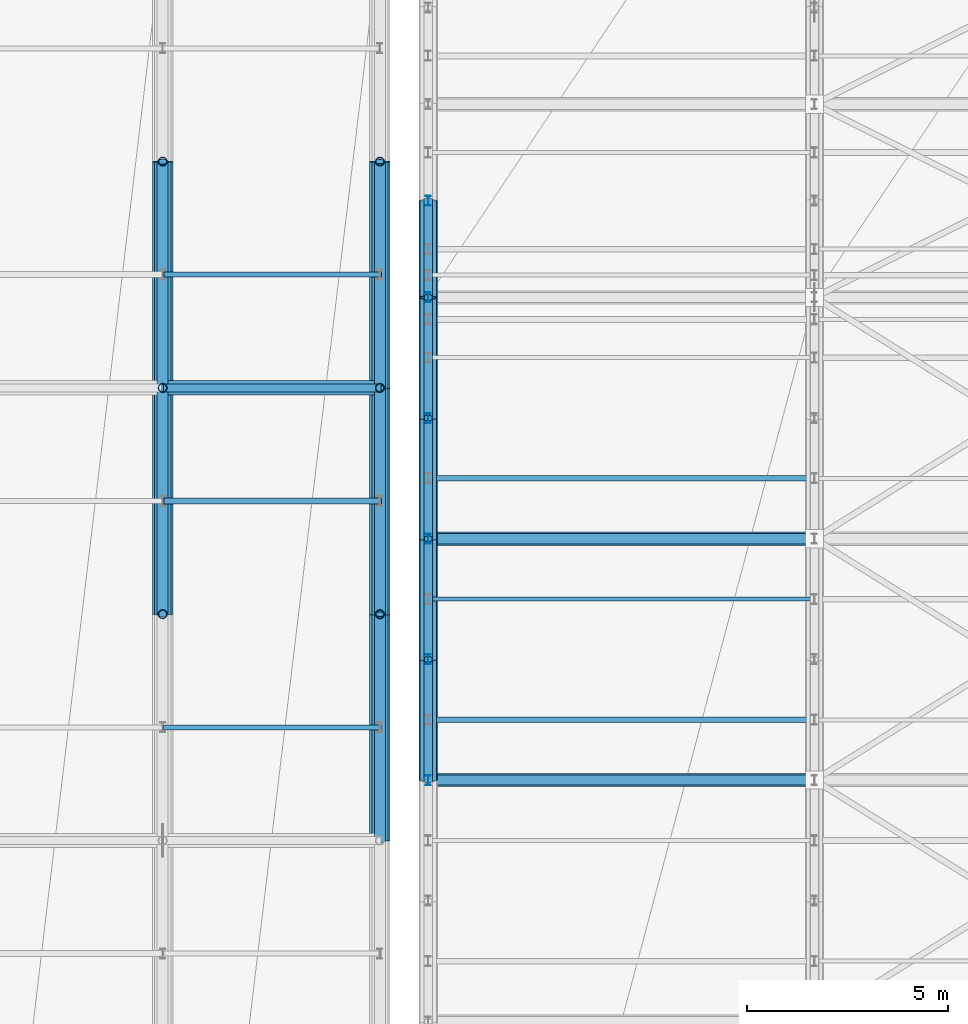
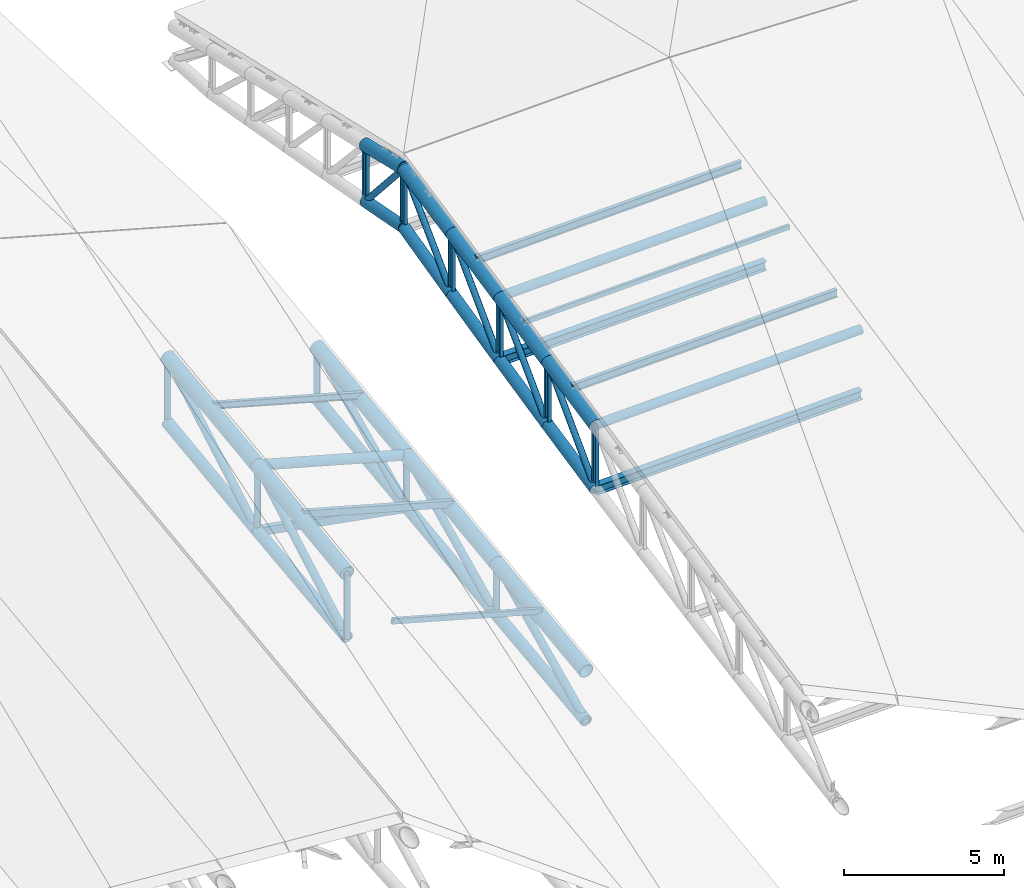
# One storey, part 42 of 109: 34 members, 20 beams.
"""IFC4 building model written with IfcOpenShell, lengths in metres."""

from ifc_helpers import new_model, si_unit, direction, frame, origin, origin_2d, place, context, subcontext, project, spatial, hollow_rectangle, hollow_circle, i_section, extrude, material, material_profile, profile_set, type_object, element, save


model = new_model("IFC4")

# Units and contexts
model_context = context("Model", 3, precision=1e-05, world=origin(), true_north=direction((0.0, 1.0)))
body_context = subcontext(model_context, "Body", "Model", "MODEL_VIEW")
ifc_project = project(units=[si_unit("LENGTHUNIT", "METRE"), si_unit("AREAUNIT", "SQUARE_METRE"), si_unit("VOLUMEUNIT", "CUBIC_METRE"), si_unit("PLANEANGLEUNIT", "RADIAN"), si_unit("MASSUNIT", "GRAM", prefix="KILO")], contexts=[model_context])

# Site, building, storey
site_placement = place(None, origin())
site = spatial("IfcSite", under=ifc_project, at=site_placement, CompositionType="ELEMENT")
building_placement = place(site_placement, origin())
building = spatial("IfcBuilding", under=site, at=building_placement, Name="Suirenkawa Promenade Aquatics Centre", CompositionType="ELEMENT")
storey_placement = place(building_placement, frame((0.0, 0.0, 22.800048828125)))
storey = spatial("IfcBuildingStorey", under=building, at=storey_placement, Name="ROOF", CompositionType="ELEMENT", Elevation=22.800048828125)

# Beams
ifc_material = material(Name="Steel IS 2062 E350 (Grade 350)", Category="steel")
ifc_material_profile_1 = material_profile(ifc_material, hollow_circle(Radius=0.202880859375, WallThickness=0.01806640625, at=origin_2d()), Name="CHS 406x18", Category="steel")
ifc_profile_set_1 = profile_set([ifc_material_profile_1], Name="Steel IS 2062 E350 (Grade 350)")
beam_type_1 = type_object("IfcBeamType", Name="BT-BC-CHS406", PredefinedType="BEAM", material=ifc_profile_set_1)
beam_1_placement = place(storey_placement, frame((149.39990234375, 78.52490234375, -12.333984375), z_axis=(0.0, 0.993002721465, 0.11809146948), x_axis=(-1.0, 0.0, 0.0)))
element("IfcBeam", 1, at=beam_1_placement, inside=storey, type_object=beam_type_1, Name="ROOF TRUSS V1 bottom chord BC-01 BM-2350", PredefinedType="BEAM", context=body_context, shape_type="SweptSolid", body=[
    extrude(hollow_circle(Radius=0.202880859375, WallThickness=0.01806640625, at=origin_2d()), origin(), (0.0, 0.0, 1.0), 5.66455078125),
])
beam_2_placement = place(storey_placement, frame((149.39990234375, 84.14990234375, -11.6650390625), z_axis=(0.0, 0.991662218835, 0.128864439375), x_axis=(-1.0, 0.0, 0.0)))
element("IfcBeam", 2, at=beam_2_placement, inside=storey, type_object=beam_type_1, Name="ROOF TRUSS V1 bottom chord BC-01 BM-2352", PredefinedType="BEAM", context=body_context, shape_type="SweptSolid", body=[
    extrude(hollow_circle(Radius=0.202880859375, WallThickness=0.01806640625, at=origin_2d()), origin(), (0.0, 0.0, 1.0), 5.67236328125),
])
beam_3_placement = place(storey_placement, frame((154.800048828125, 72.89990234375, -14.008056640625), z_axis=(0.0, 0.993022923404, 0.117921472154), x_axis=(-1.0, 0.0, 0.0)))
element("IfcBeam", 3, at=beam_3_placement, inside=storey, type_object=beam_type_1, Name="ROOF TRUSS V1 bottom chord BC-01 BM-2376", PredefinedType="BEAM", context=body_context, shape_type="SweptSolid", body=[
    extrude(hollow_circle(Radius=0.202880859375, WallThickness=0.01806640625, at=origin_2d()), origin(), (0.0, 0.0, 1.0), 5.66455078125),
])
beam_4_placement = place(storey_placement, frame((154.800048828125, 78.52490234375, -13.340087890625), z_axis=(0.0, 0.992409843622, 0.122974396855), x_axis=(-1.0, 0.0, 0.0)))
element("IfcBeam", 4, at=beam_4_placement, inside=storey, type_object=beam_type_1, Name="ROOF TRUSS V1 bottom chord BC-01 BM-2378", PredefinedType="BEAM", context=body_context, shape_type="SweptSolid", body=[
    extrude(hollow_circle(Radius=0.202880859375, WallThickness=0.01806640625, at=origin_2d()), origin(), (0.0, 0.0, 1.0), 5.66796875),
])
beam_5_placement = place(storey_placement, frame((154.800048828125, 84.14990234375, -12.64306640625), z_axis=(0.0, 0.991706164536, 0.128525807609), x_axis=(-1.0, 0.0, 0.0)))
element("IfcBeam", 5, at=beam_5_placement, inside=storey, type_object=beam_type_1, Name="ROOF TRUSS V1 bottom chord BC-01 BM-2380", PredefinedType="BEAM", context=body_context, shape_type="SweptSolid", body=[
    extrude(hollow_circle(Radius=0.202880859375, WallThickness=0.01806640625, at=origin_2d()), origin(), (0.0, 0.0, 1.0), 5.672119140625),
])
beam_6_placement = place(storey_placement, frame((156.0, 74.39990234375, -6.4599609375), z_axis=(0.0, 0.978259092623, 0.207386469424), x_axis=(-1.0, 0.0, 0.0)))
element("IfcBeam", 6, at=beam_6_placement, inside=storey, type_object=beam_type_1, Name="ROOF TRUSS V2 bottom chord BC-01 BM-2412", PredefinedType="BEAM", context=body_context, shape_type="SweptSolid", body=[
    extrude(hollow_circle(Radius=0.202880859375, WallThickness=0.01806640625, at=origin_2d()), origin(), (0.0, 0.0, 1.0), 3.066650390625),
])
beam_7_placement = place(storey_placement, frame((156.0, 77.39990234375, -5.823974609375), z_axis=(0.0, 0.976164624712, 0.217031392799), x_axis=(-1.0, 0.0, 0.0)))
element("IfcBeam", 7, at=beam_7_placement, inside=storey, type_object=beam_type_1, Name="ROOF TRUSS V2 bottom chord BC-01 BM-2414", PredefinedType="BEAM", context=body_context, shape_type="SweptSolid", body=[
    extrude(hollow_circle(Radius=0.202880859375, WallThickness=0.01806640625, at=origin_2d()), origin(), (0.0, 0.0, 1.0), 3.0732421875),
])
beam_8_placement = place(storey_placement, frame((156.0, 80.39990234375, -5.156982421875), z_axis=(0.0, 0.97398484084, 0.226613172197), x_axis=(-1.0, 0.0, 0.0)))
element("IfcBeam", 8, at=beam_8_placement, inside=storey, type_object=beam_type_1, Name="ROOF TRUSS V2 bottom chord BC-01 BM-2416", PredefinedType="BEAM", context=body_context, shape_type="SweptSolid", body=[
    extrude(hollow_circle(Radius=0.202880859375, WallThickness=0.01806640625, at=origin_2d()), origin(), (0.0, 0.0, 1.0), 3.080078125),
])
beam_9_placement = place(storey_placement, frame((156.0, 83.39990234375, -4.458984375), z_axis=(0.0, 0.972029299784, 0.234859618413), x_axis=(-1.0, 0.0, 0.0)))
element("IfcBeam", 9, at=beam_9_placement, inside=storey, type_object=beam_type_1, Name="ROOF TRUSS V2 bottom chord BC-01 BM-2418", PredefinedType="BEAM", context=body_context, shape_type="SweptSolid", body=[
    extrude(hollow_circle(Radius=0.202880859375, WallThickness=0.01806640625, at=origin_2d()), origin(), (0.0, 0.0, 1.0), 3.08642578125),
])
beam_10_placement = place(storey_placement, frame((156.0, 86.39990234375, -3.734130859375), z_axis=(0.0, 0.982275543956, -0.187442673224), x_axis=(-1.0, 0.0, 0.0)))
element("IfcBeam", 10, at=beam_10_placement, inside=storey, type_object=beam_type_1, Name="ROOF TRUSS V2 bottom chord BC-01 BM-2420", PredefinedType="BEAM", context=body_context, shape_type="SweptSolid", body=[
    extrude(hollow_circle(Radius=0.202880859375, WallThickness=0.01806640625, at=origin_2d()), origin(), (0.0, 0.0, 1.0), 2.443359375),
])
ifc_material_profile_2 = material_profile(ifc_material, hollow_circle(Radius=0.22900390625, WallThickness=0.02001953125, at=origin_2d()), Name="CHS 458x20", Category="steel")
ifc_profile_set_2 = profile_set([ifc_material_profile_2], Name="Steel IS 2062 E350 (Grade 350)")
beam_type_2 = type_object("IfcBeamType", Name="BT-TC-CHS458", PredefinedType="BEAM", material=ifc_profile_set_2)
beam_11_placement = place(storey_placement, frame((156.0, 74.39990234375, -4.012939453125), z_axis=(0.0, 0.978468602667, 0.206395720875), x_axis=(-1.0, 0.0, 0.0)))
element("IfcBeam", 11, at=beam_11_placement, inside=storey, type_object=beam_type_2, Name="ROOF TRUSS V2 top chord TC-01 BM-2411", PredefinedType="BEAM", context=body_context, shape_type="SweptSolid", body=[
    extrude(hollow_circle(Radius=0.22900390625, WallThickness=0.02001953125, at=origin_2d()), origin(), (0.0, 0.0, 1.0), 3.06591796875),
])
for number, where, z_axis, x_axis, name in (
    (12, (156.0, 77.39990234375, -3.380126953125), (0.0, 0.978452518953, 0.206471954886), (-1.0, 0.0, 0.0), "ROOF TRUSS V2 top chord TC-01 BM-2413"),
    (13, (156.0, 80.39990234375, -2.7470703125), (0.0, 0.978388130003, 0.206776853322), (-1.0, 0.0, 0.0), "ROOF TRUSS V2 top chord TC-01 BM-2415"),
    (14, (156.0, 83.39990234375, -2.113037109375), (0.0, 0.978452518953, 0.206471954886), (-1.0, 0.0, 0.0), "ROOF TRUSS V2 top chord TC-01 BM-2417"),
):
    element("IfcBeam", number, at=place(storey_placement, frame(where, z_axis=z_axis, x_axis=x_axis)), inside=storey, type_object=beam_type_2, Name=name, PredefinedType="BEAM", context=body_context, shape_type="SweptSolid", body=[
        extrude(hollow_circle(Radius=0.22900390625, WallThickness=0.02001953125, at=origin_2d()), origin(), (0.0, 0.0, 1.0), 3.066162109375),
    ])
beam_12_placement = place(storey_placement, frame((156.0, 86.39990234375, -1.47998046875), z_axis=(0.0, 0.97473096927, -0.223382043919), x_axis=(-1.0, 0.0, 0.0)))
element("IfcBeam", 15, at=beam_12_placement, inside=storey, type_object=beam_type_2, Name="ROOF TRUSS V2 top chord TC-01 BM-2419", PredefinedType="BEAM", context=body_context, shape_type="SweptSolid", body=[
    extrude(hollow_circle(Radius=0.22900390625, WallThickness=0.02001953125, at=origin_2d()), origin(), (0.0, 0.0, 1.0), 2.46240234375),
])
ifc_material_profile_3 = material_profile(ifc_material, hollow_circle(Radius=0.25390625, WallThickness=0.02392578125, at=origin_2d()), Name="CHS 508x24", Category="steel")
ifc_profile_set_3 = profile_set([ifc_material_profile_3], Name="Steel IS 2062 E350 (Grade 350)")
beam_type_3 = type_object("IfcBeamType", Name="BT-TC-CHS508", PredefinedType="BEAM", material=ifc_profile_set_3)
for number, where, z_axis, x_axis, name in (
    (16, (149.39990234375, 78.52490234375, -9.875), (0.0, 0.991799178012, 0.127806065951), (-1.0, 0.0, 0.0), "ROOF TRUSS V1 top chord TC-02 BM-2349"),
    (17, (149.39990234375, 84.14990234375, -9.150146484375), (0.0, 0.991793720609, 0.127848409297), (-1.0, 0.0, 0.0), "ROOF TRUSS V1 top chord TC-02 BM-2351"),
    (18, (154.800048828125, 72.89990234375, -12.10009765625), (0.0, 0.991793720609, 0.127848409297), (-1.0, 0.0, 0.0), "ROOF TRUSS V1 top chord TC-02 BM-2375"),
    (19, (154.800048828125, 78.52490234375, -11.375), (0.0, 0.991799178012, 0.127806065951), (-1.0, 0.0, 0.0), "ROOF TRUSS V1 top chord TC-02 BM-2377"),
    (20, (154.800048828125, 84.14990234375, -10.650146484375), (0.0, 0.991793720609, 0.127848409297), (-1.0, 0.0, 0.0), "ROOF TRUSS V1 top chord TC-02 BM-2379"),
):
    element("IfcBeam", number, at=place(storey_placement, frame(where, z_axis=z_axis, x_axis=x_axis)), inside=storey, type_object=beam_type_3, Name=name, PredefinedType="BEAM", context=body_context, shape_type="SweptSolid", body=[
        extrude(hollow_circle(Radius=0.25390625, WallThickness=0.02392578125, at=origin_2d()), origin(), (0.0, 0.0, 1.0), 5.671630859375),
    ])

# Members
ifc_material_profile_4 = material_profile(ifc_material, hollow_circle(Radius=0.162109375, WallThickness=0.013916015625, at=origin_2d()), Name="CHS 324x14", Category="steel")
ifc_profile_set_4 = profile_set([ifc_material_profile_4], Name="Steel IS 2062 E350 (Grade 350)")
member_type_1 = type_object("IfcMemberType", Name="MT-CHORD-CHS324", PredefinedType="CHORD", material=ifc_profile_set_4)
for number, where, z_axis, x_axis, name in (
    (21, (156.0, 74.39990234375, -4.012939453125), (0.99951272064, 0.0, 0.031214119855), (0.0, 1.0, 0.0), "ROOF TRUSS V2 tie chord CH-01 MB-1194"),
    (22, (156.0, 80.39990234375, -2.7470703125), (0.999511927284, 0.0, 0.031239513723), (0.0, 1.0, 0.0), "ROOF TRUSS V2 tie chord CH-01 MB-1202"),
):
    element("IfcMember", number, at=place(storey_placement, frame(where, z_axis=z_axis, x_axis=x_axis)), inside=storey, type_object=member_type_1, Name=name, PredefinedType="CHORD", context=body_context, shape_type="SweptSolid", body=[
        extrude(hollow_circle(Radius=0.162109375, WallThickness=0.013916015625, at=origin_2d()), origin(), (0.0, 0.0, 1.0), 9.604736328125),
    ])
ifc_material_profile_5 = material_profile(ifc_material, hollow_circle(Radius=0.177978515625, WallThickness=0.01611328125, at=origin_2d()), Name="CHS 356x16", Category="steel")
ifc_profile_set_5 = profile_set([ifc_material_profile_5], Name="Steel IS 2062 E350 (Grade 350)")
member_type_2 = type_object("IfcMemberType", Name="MT-CHORD-CHS356", PredefinedType="CHORD", material=ifc_profile_set_5)
member_1_placement = place(storey_placement, frame((149.39990234375, 84.14990234375, -9.150146484375), z_axis=(0.963519781844, 0.0, -0.267637123724), x_axis=(0.0, 1.0, 0.0)))
element("IfcMember", 23, at=member_1_placement, inside=storey, type_object=member_type_2, Name="ROOF TRUSS V1 tie chord CH-02 MB-0806", PredefinedType="CHORD", context=body_context, shape_type="SweptSolid", body=[
    extrude(hollow_circle(Radius=0.177978515625, WallThickness=0.01611328125, at=origin_2d()), origin(), (0.0, 0.0, 1.0), 5.6044921875),
])
ifc_material_profile_6 = material_profile(ifc_material, i_section(OverallWidth=0.25, OverallDepth=0.35009765625, WebThickness=0.010009765625, FlangeThickness=0.011962890625, at=origin_2d()), Name="ISHB 350", Category="steel")
ifc_profile_set_6 = profile_set([ifc_material_profile_6], Name="Steel IS 2062 E350 (Grade 350)")
member_type_3 = type_object("IfcMemberType", Name="MT-CHORD-ISHB350", PredefinedType="CHORD", material=ifc_profile_set_6)
for number, where, z_axis, x_axis, name in (
    (24, (156.0, 74.39990234375, -6.4599609375), (0.99951272064, 0.0, 0.031214119855), (0.0, 1.0, 0.0), "ROOF TRUSS V2 bottom tie CH-04 MB-1195"),
    (25, (156.0, 80.39990234375, -5.156982421875), (0.999511927284, 0.0, 0.031239513723), (0.0, 1.0, 0.0), "ROOF TRUSS V2 bottom tie CH-04 MB-1203"),
):
    element("IfcMember", number, at=place(storey_placement, frame(where, z_axis=z_axis, x_axis=x_axis)), inside=storey, type_object=member_type_3, Name=name, PredefinedType="CHORD", context=body_context, shape_type="SweptSolid", body=[
        extrude(i_section(OverallWidth=0.25, OverallDepth=0.35009765625, WebThickness=0.010009765625, FlangeThickness=0.011962890625, at=origin_2d()), origin(), (0.0, 0.0, 1.0), 9.604736328125),
    ])
ifc_material_profile_7 = material_profile(ifc_material, hollow_rectangle(XDim=0.199951171875, YDim=0.300048828125, WallThickness=0.011962890625, at=origin_2d()), Name="RHS 300x200x12", Category="steel")
ifc_profile_set_7 = profile_set([ifc_material_profile_7], Name="Steel IS 2062 E350 (Grade 350)")
member_type_4 = type_object("IfcMemberType", Name="MT-CHORD-RHS300", PredefinedType="CHORD", material=ifc_profile_set_7)
member_2_placement = place(storey_placement, frame((149.39990234375, 84.14990234375, -11.6650390625), z_axis=(0.983992105939, 0.0, -0.178212051919), x_axis=(0.0, 1.0, 0.0)))
element("IfcMember", 26, at=member_2_placement, inside=storey, type_object=member_type_4, Name="ROOF TRUSS V1 bottom tie CH-03 MB-0807", PredefinedType="CHORD", context=body_context, shape_type="SweptSolid", body=[
    extrude(hollow_rectangle(XDim=0.199951171875, YDim=0.300048828125, WallThickness=0.011962890625, at=origin_2d()), origin(), (0.0, 0.0, 1.0), 5.488037109375),
])
ifc_material_profile_8 = material_profile(ifc_material, i_section(OverallWidth=0.125, OverallDepth=0.25, WebThickness=0.007080078125, FlangeThickness=0.012939453125, at=origin_2d()), Name="ISMB 250", Category="steel")
ifc_profile_set_8 = profile_set([ifc_material_profile_8], Name="Steel IS 2062 E350 (Grade 350)")
member_type_5 = type_object("IfcMemberType", Name="MT-PURLIN-ISMB250", PredefinedType="PURLIN", material=ifc_profile_set_8)
member_3_placement = place(storey_placement, frame((149.39990234375, 86.962890625, -8.567138671875), z_axis=(0.963519781844, 0.0, -0.267637123724), x_axis=(0.0, 1.0, 0.0)))
element("IfcMember", 27, at=member_3_placement, inside=storey, type_object=member_type_5, Name="ROOF TRUSS Roof purlin PU-04 MB-2385", PredefinedType="PURLIN", context=body_context, shape_type="SweptSolid", body=[
    extrude(i_section(OverallWidth=0.125, OverallDepth=0.25, WebThickness=0.007080078125, FlangeThickness=0.012939453125, at=origin_2d()), origin(), (0.0, 0.0, 1.0), 5.6044921875),
])
ifc_material_profile_9 = material_profile(ifc_material, i_section(OverallWidth=0.139892578125, OverallDepth=0.300048828125, WebThickness=0.008056640625, FlangeThickness=0.012939453125, at=origin_2d()), Name="ISMB 300", Category="steel")
ifc_profile_set_9 = profile_set([ifc_material_profile_9], Name="Steel IS 2062 E350 (Grade 350)")
member_type_6 = type_object("IfcMemberType", Name="MT-PURLIN-ISMB300", PredefinedType="PURLIN", material=ifc_profile_set_9)
for number, where, z_axis, x_axis, name in (
    (28, (156.0, 75.89990234375, -3.510009765625), (0.999511927284, 0.0, 0.031239513723), (0.0, 1.0, 0.0), "ROOF TRUSS Roof purlin PU-05 MB-2434"),
    (29, (156.0, 81.89990234375, -2.244140625), (0.999511927284, 0.0, 0.031239513723), (0.0, 1.0, 0.0), "ROOF TRUSS Roof purlin PU-05 MB-2440"),
):
    element("IfcMember", number, at=place(storey_placement, frame(where, z_axis=z_axis, x_axis=x_axis)), inside=storey, type_object=member_type_6, Name=name, PredefinedType="PURLIN", context=body_context, shape_type="SweptSolid", body=[
        extrude(i_section(OverallWidth=0.139892578125, OverallDepth=0.300048828125, WebThickness=0.008056640625, FlangeThickness=0.012939453125, at=origin_2d()), origin(), (0.0, 0.0, 1.0), 9.604736328125),
    ])
ifc_material_profile_10 = material_profile(ifc_material, hollow_rectangle(XDim=0.10009765625, YDim=0.179931640625, WallThickness=0.008056640625, at=origin_2d()), Name="RHS 180x100x8", Category="steel")
ifc_profile_set_10 = profile_set([ifc_material_profile_10], Name="Steel IS 2062 E350 (Grade 350)")
member_type_7 = type_object("IfcMemberType", Name="MT-PURLIN-RHS180", PredefinedType="PURLIN", material=ifc_profile_set_10)
member_4_placement = place(storey_placement, frame((156.0, 78.89990234375, -2.81298828125), z_axis=(0.999511927284, 0.0, 0.031239513723), x_axis=(0.0, 1.0, 0.0)))
element("IfcMember", 30, at=member_4_placement, inside=storey, type_object=member_type_7, Name="ROOF TRUSS Roof purlin PU-01 MB-2437", PredefinedType="PURLIN", context=body_context, shape_type="SweptSolid", body=[
    extrude(hollow_rectangle(XDim=0.10009765625, YDim=0.179931640625, WallThickness=0.008056640625, at=origin_2d()), origin(), (0.0, 0.0, 1.0), 9.604736328125),
])
ifc_material_profile_11 = material_profile(ifc_material, hollow_rectangle(XDim=0.1201171875, YDim=0.199951171875, WallThickness=0.008056640625, at=origin_2d()), Name="RHS 200x120x8", Category="steel")
ifc_profile_set_11 = profile_set([ifc_material_profile_11], Name="Steel IS 2062 E350 (Grade 350)")
member_type_8 = type_object("IfcMemberType", Name="MT-PURLIN-RHS200", PredefinedType="PURLIN", material=ifc_profile_set_11)
member_5_placement = place(storey_placement, frame((149.39990234375, 75.712890625, -9.990966796875), z_axis=(0.963519781844, 0.0, -0.267637123724), x_axis=(0.0, 1.0, 0.0)))
element("IfcMember", 31, at=member_5_placement, inside=storey, type_object=member_type_8, Name="ROOF TRUSS Roof purlin PU-02 MB-2381", PredefinedType="PURLIN", context=body_context, shape_type="SweptSolid", body=[
    extrude(hollow_rectangle(XDim=0.1201171875, YDim=0.199951171875, WallThickness=0.008056640625, at=origin_2d()), origin(), (0.0, 0.0, 1.0), 5.6044921875),
])
ifc_material_profile_12 = material_profile(ifc_material, hollow_rectangle(XDim=0.14990234375, YDim=0.25, WallThickness=0.010009765625, at=origin_2d()), Name="RHS 250x150x10", Category="steel")
ifc_profile_set_12 = profile_set([ifc_material_profile_12], Name="Steel IS 2062 E350 (Grade 350)")
member_type_9 = type_object("IfcMemberType", Name="MT-PURLIN-RHS250", PredefinedType="PURLIN", material=ifc_profile_set_12)
member_6_placement = place(storey_placement, frame((149.39990234375, 81.337890625, -9.29296875), z_axis=(0.963519781844, 0.0, -0.267637123724), x_axis=(0.0, 1.0, 0.0)))
element("IfcMember", 32, at=member_6_placement, inside=storey, type_object=member_type_9, Name="ROOF TRUSS Roof purlin PU-03 MB-2383", PredefinedType="PURLIN", context=body_context, shape_type="SweptSolid", body=[
    extrude(hollow_rectangle(XDim=0.14990234375, YDim=0.25, WallThickness=0.010009765625, at=origin_2d()), origin(), (0.0, 0.0, 1.0), 5.6044921875),
])
ifc_material_profile_13 = material_profile(ifc_material, i_section(OverallWidth=0.125, OverallDepth=0.25, WebThickness=0.007080078125, FlangeThickness=0.012939453125, at=origin_2d()), Name="ISMB 250", Category="steel")
ifc_profile_set_13 = profile_set([ifc_material_profile_13], Name="Steel IS 2062 E350 (Grade 350)")
member_type_10 = type_object("IfcMemberType", Name="MT-WEB-CHS168", PredefinedType="BRACE", material=ifc_profile_set_13)
member_7_placement = place(storey_placement, frame((156.0, 74.39990234375, -6.4599609375), z_axis=(0.0, 0.0, 1.0), x_axis=(1.0, 0.0, 0.0)))
element("IfcMember", 33, at=member_7_placement, inside=storey, type_object=member_type_10, Name="ROOF TRUSS V2 web post TD-03 MB-0996", PredefinedType="BRACE", context=body_context, shape_type="SweptSolid", body=[
    extrude(i_section(OverallWidth=0.125, OverallDepth=0.25, WebThickness=0.007080078125, FlangeThickness=0.012939453125, at=origin_2d()), origin(), (0.0, 0.0, 1.0), 2.447021484375),
])
member_8_placement = place(storey_placement, frame((156.0, 77.39990234375, -5.823974609375), z_axis=(0.0, 0.0, 1.0), x_axis=(1.0, 0.0, 0.0)))
element("IfcMember", 34, at=member_8_placement, inside=storey, type_object=member_type_10, Name="ROOF TRUSS V2 web post TD-03 MB-0997", PredefinedType="BRACE", context=body_context, shape_type="SweptSolid", body=[
    extrude(i_section(OverallWidth=0.125, OverallDepth=0.25, WebThickness=0.007080078125, FlangeThickness=0.012939453125, at=origin_2d()), origin(), (0.0, 0.0, 1.0), 2.44384765625),
])
member_9_placement = place(storey_placement, frame((156.0, 80.39990234375, -5.156982421875), z_axis=(0.0, 0.0, 1.0), x_axis=(1.0, 0.0, 0.0)))
element("IfcMember", 35, at=member_9_placement, inside=storey, type_object=member_type_10, Name="ROOF TRUSS V2 web post TD-03 MB-0998", PredefinedType="BRACE", context=body_context, shape_type="SweptSolid", body=[
    extrude(i_section(OverallWidth=0.125, OverallDepth=0.25, WebThickness=0.007080078125, FlangeThickness=0.012939453125, at=origin_2d()), origin(), (0.0, 0.0, 1.0), 2.409912109375),
])
member_10_placement = place(storey_placement, frame((156.0, 83.39990234375, -4.458984375), z_axis=(0.0, 0.0, 1.0), x_axis=(1.0, 0.0, 0.0)))
element("IfcMember", 36, at=member_10_placement, inside=storey, type_object=member_type_10, Name="ROOF TRUSS V2 web post TD-03 MB-0999", PredefinedType="BRACE", context=body_context, shape_type="SweptSolid", body=[
    extrude(i_section(OverallWidth=0.125, OverallDepth=0.25, WebThickness=0.007080078125, FlangeThickness=0.012939453125, at=origin_2d()), origin(), (0.0, 0.0, 1.0), 2.345947265625),
])
member_11_placement = place(storey_placement, frame((156.0, 86.39990234375, -3.734130859375), z_axis=(0.0, 0.0, 1.0), x_axis=(1.0, 0.0, 0.0)))
element("IfcMember", 37, at=member_11_placement, inside=storey, type_object=member_type_10, Name="ROOF TRUSS V2 web post TD-03 MB-1000", PredefinedType="BRACE", context=body_context, shape_type="SweptSolid", body=[
    extrude(i_section(OverallWidth=0.125, OverallDepth=0.25, WebThickness=0.007080078125, FlangeThickness=0.012939453125, at=origin_2d()), origin(), (0.0, 0.0, 1.0), 2.254150390625),
])
member_12_placement = place(storey_placement, frame((156.0, 88.800048828125, -4.192138671875), z_axis=(0.0, 0.0, 1.0), x_axis=(1.0, 0.0, 0.0)))
element("IfcMember", 38, at=member_12_placement, inside=storey, type_object=member_type_10, Name="ROOF TRUSS V2 web post TD-03 MB-1001", PredefinedType="BRACE", context=body_context, shape_type="SweptSolid", body=[
    extrude(i_section(OverallWidth=0.125, OverallDepth=0.25, WebThickness=0.007080078125, FlangeThickness=0.012939453125, at=origin_2d()), origin(), (0.0, 0.0, 1.0), 2.162109375),
])
ifc_material_profile_14 = material_profile(ifc_material, hollow_circle(Radius=0.110107421875, WallThickness=0.010009765625, at=origin_2d()), Name="CHS 220x10", Category="steel")
ifc_profile_set_14 = profile_set([ifc_material_profile_14], Name="Steel IS 2062 E350 (Grade 350)")
member_type_11 = type_object("IfcMemberType", Name="MT-WEB-CHS220", PredefinedType="BRACE", material=ifc_profile_set_14)
member_13_placement = place(storey_placement, frame((149.39990234375, 78.52490234375, -12.333984375), z_axis=(0.0, 0.0, 1.0), x_axis=(1.0, 0.0, 0.0)))
element("IfcMember", 39, at=member_13_placement, inside=storey, type_object=member_type_11, Name="ROOF TRUSS V1 web post TD-01 MB-0532", PredefinedType="BRACE", context=body_context, shape_type="SweptSolid", body=[
    extrude(hollow_circle(Radius=0.110107421875, WallThickness=0.010009765625, at=origin_2d()), origin(), (0.0, 0.0, 1.0), 2.458984375),
])
member_14_placement = place(storey_placement, frame((149.39990234375, 84.14990234375, -11.6650390625), z_axis=(0.0, 0.0, 1.0), x_axis=(1.0, 0.0, 0.0)))
element("IfcMember", 40, at=member_14_placement, inside=storey, type_object=member_type_11, Name="ROOF TRUSS V1 web post TD-01 MB-0533", PredefinedType="BRACE", context=body_context, shape_type="SweptSolid", body=[
    extrude(hollow_circle(Radius=0.110107421875, WallThickness=0.010009765625, at=origin_2d()), origin(), (0.0, 0.0, 1.0), 2.514892578125),
])
member_15_placement = place(storey_placement, frame((149.39990234375, 89.77490234375, -10.93408203125), z_axis=(0.0, 0.0, 1.0), x_axis=(1.0, 0.0, 0.0)))
element("IfcMember", 41, at=member_15_placement, inside=storey, type_object=member_type_11, Name="ROOF TRUSS V1 web post TD-01 MB-0534", PredefinedType="BRACE", context=body_context, shape_type="SweptSolid", body=[
    extrude(hollow_circle(Radius=0.110107421875, WallThickness=0.010009765625, at=origin_2d()), origin(), (0.0, 0.0, 1.0), 2.509033203125),
])
member_16_placement = place(storey_placement, frame((154.800048828125, 78.52490234375, -13.340087890625), z_axis=(0.0, 0.0, 1.0), x_axis=(1.0, 0.0, 0.0)))
element("IfcMember", 42, at=member_16_placement, inside=storey, type_object=member_type_11, Name="ROOF TRUSS V1 web post TD-01 MB-0559", PredefinedType="BRACE", context=body_context, shape_type="SweptSolid", body=[
    extrude(hollow_circle(Radius=0.110107421875, WallThickness=0.010009765625, at=origin_2d()), origin(), (0.0, 0.0, 1.0), 1.965087890625),
])
member_17_placement = place(storey_placement, frame((154.800048828125, 84.14990234375, -12.64306640625), z_axis=(0.0, 0.0, 1.0), x_axis=(1.0, 0.0, 0.0)))
element("IfcMember", 43, at=member_17_placement, inside=storey, type_object=member_type_11, Name="ROOF TRUSS V1 web post TD-01 MB-0560", PredefinedType="BRACE", context=body_context, shape_type="SweptSolid", body=[
    extrude(hollow_circle(Radius=0.110107421875, WallThickness=0.010009765625, at=origin_2d()), origin(), (0.0, 0.0, 1.0), 1.992919921875),
])
member_18_placement = place(storey_placement, frame((154.800048828125, 89.77490234375, -11.9140625), z_axis=(0.0, 0.0, 1.0), x_axis=(1.0, 0.0, 0.0)))
element("IfcMember", 44, at=member_18_placement, inside=storey, type_object=member_type_11, Name="ROOF TRUSS V1 web post TD-01 MB-0561", PredefinedType="BRACE", context=body_context, shape_type="SweptSolid", body=[
    extrude(hollow_circle(Radius=0.110107421875, WallThickness=0.010009765625, at=origin_2d()), origin(), (0.0, 0.0, 1.0), 1.989013671875),
])
member_19_placement = place(storey_placement, frame((156.0, 74.39990234375, -6.4599609375), z_axis=(0.0, 0.697761646691, 0.716330010824), x_axis=(-1.0, 0.0, 0.0)))
element("IfcMember", 45, at=member_19_placement, inside=storey, type_object=member_type_11, Name="ROOF TRUSS V2 web diagonal TD-01 MB-0979", PredefinedType="BRACE", context=body_context, shape_type="SweptSolid", body=[
    extrude(hollow_circle(Radius=0.110107421875, WallThickness=0.010009765625, at=origin_2d()), origin(), (0.0, 0.0, 1.0), 4.299560546875),
])
member_20_placement = place(storey_placement, frame((156.0, 77.39990234375, -5.823974609375), z_axis=(0.0, 0.698102320492, 0.71599800986), x_axis=(-1.0, 0.0, 0.0)))
element("IfcMember", 46, at=member_20_placement, inside=storey, type_object=member_type_11, Name="ROOF TRUSS V2 web diagonal TD-01 MB-0980", PredefinedType="BRACE", context=body_context, shape_type="SweptSolid", body=[
    extrude(hollow_circle(Radius=0.110107421875, WallThickness=0.010009765625, at=origin_2d()), origin(), (0.0, 0.0, 1.0), 4.29736328125),
])
member_21_placement = place(storey_placement, frame((156.0, 80.39990234375, -5.156982421875), z_axis=(0.0, 0.70194687816, 0.712229303133), x_axis=(-1.0, 0.0, 0.0)))
element("IfcMember", 47, at=member_21_placement, inside=storey, type_object=member_type_11, Name="ROOF TRUSS V2 web diagonal TD-01 MB-0981", PredefinedType="BRACE", context=body_context, shape_type="SweptSolid", body=[
    extrude(hollow_circle(Radius=0.110107421875, WallThickness=0.010009765625, at=origin_2d()), origin(), (0.0, 0.0, 1.0), 4.27392578125),
])
member_22_placement = place(storey_placement, frame((156.0, 83.39990234375, -4.458984375), z_axis=(0.0, 0.709585508659, 0.704619334038), x_axis=(-1.0, 0.0, 0.0)))
element("IfcMember", 48, at=member_22_placement, inside=storey, type_object=member_type_11, Name="ROOF TRUSS V2 web diagonal TD-01 MB-0982", PredefinedType="BRACE", context=body_context, shape_type="SweptSolid", body=[
    extrude(hollow_circle(Radius=0.110107421875, WallThickness=0.010009765625, at=origin_2d()), origin(), (0.0, 0.0, 1.0), 4.227783203125),
])
member_23_placement = place(storey_placement, frame((156.0, 86.39990234375, -1.47998046875), z_axis=(0.0, 0.662717866638, -0.74886916697), x_axis=(-1.0, 0.0, 0.0)))
element("IfcMember", 49, at=member_23_placement, inside=storey, type_object=member_type_11, Name="ROOF TRUSS V2 web diagonal TD-01 MB-0983", PredefinedType="BRACE", context=body_context, shape_type="SweptSolid", body=[
    extrude(hollow_circle(Radius=0.110107421875, WallThickness=0.010009765625, at=origin_2d()), origin(), (0.0, 0.0, 1.0), 3.62158203125),
])
ifc_material_profile_15 = material_profile(ifc_material, hollow_circle(Radius=0.136962890625, WallThickness=0.011962890625, at=origin_2d()), Name="CHS 274x12", Category="steel")
ifc_profile_set_15 = profile_set([ifc_material_profile_15], Name="Steel IS 2062 E350 (Grade 350)")
member_type_12 = type_object("IfcMemberType", Name="MT-WEB-CHS274", PredefinedType="BRACE", material=ifc_profile_set_15)
member_24_placement = place(storey_placement, frame((149.39990234375, 78.52490234375, -12.333984375), z_axis=(0.0, 0.870265103873, 0.492583646684), x_axis=(-1.0, 0.0, 0.0)))
element("IfcMember", 50, at=member_24_placement, inside=storey, type_object=member_type_12, Name="ROOF TRUSS V1 web diagonal TD-02 MB-0519", PredefinedType="BRACE", context=body_context, shape_type="SweptSolid", body=[
    extrude(hollow_circle(Radius=0.136962890625, WallThickness=0.011962890625, at=origin_2d()), origin(), (0.0, 0.0, 1.0), 6.463623046875),
])
member_25_placement = place(storey_placement, frame((149.39990234375, 84.14990234375, -11.6650390625), z_axis=(0.0, 0.866532256755, 0.499121075495), x_axis=(-1.0, 0.0, 0.0)))
element("IfcMember", 51, at=member_25_placement, inside=storey, type_object=member_type_12, Name="ROOF TRUSS V1 web diagonal TD-02 MB-0520", PredefinedType="BRACE", context=body_context, shape_type="SweptSolid", body=[
    extrude(hollow_circle(Radius=0.136962890625, WallThickness=0.011962890625, at=origin_2d()), origin(), (0.0, 0.0, 1.0), 6.491455078125),
])
member_26_placement = place(storey_placement, frame((154.800048828125, 72.89990234375, -14.008056640625), z_axis=(0.0, 0.905685409546, 0.423950396786), x_axis=(-1.0, 0.0, 0.0)))
element("IfcMember", 52, at=member_26_placement, inside=storey, type_object=member_type_12, Name="ROOF TRUSS V1 web diagonal TD-02 MB-0545", PredefinedType="BRACE", context=body_context, shape_type="SweptSolid", body=[
    extrude(hollow_circle(Radius=0.136962890625, WallThickness=0.011962890625, at=origin_2d()), origin(), (0.0, 0.0, 1.0), 6.210693359375),
])
member_27_placement = place(storey_placement, frame((154.800048828125, 78.52490234375, -13.340087890625), z_axis=(0.0, 0.902151449503, 0.431419473551), x_axis=(-1.0, 0.0, 0.0)))
element("IfcMember", 53, at=member_27_placement, inside=storey, type_object=member_type_12, Name="ROOF TRUSS V1 web diagonal TD-02 MB-0546", PredefinedType="BRACE", context=body_context, shape_type="SweptSolid", body=[
    extrude(hollow_circle(Radius=0.136962890625, WallThickness=0.011962890625, at=origin_2d()), origin(), (0.0, 0.0, 1.0), 6.235107421875),
])
member_28_placement = place(storey_placement, frame((154.800048828125, 84.14990234375, -12.64306640625), z_axis=(0.0, 0.900394882461, 0.435073620939), x_axis=(-1.0, 0.0, 0.0)))
element("IfcMember", 54, at=member_28_placement, inside=storey, type_object=member_type_12, Name="ROOF TRUSS V1 web diagonal TD-02 MB-0547", PredefinedType="BRACE", context=body_context, shape_type="SweptSolid", body=[
    extrude(hollow_circle(Radius=0.136962890625, WallThickness=0.011962890625, at=origin_2d()), origin(), (0.0, 0.0, 1.0), 6.247314453125),
])

save(model, "model.ifc")
